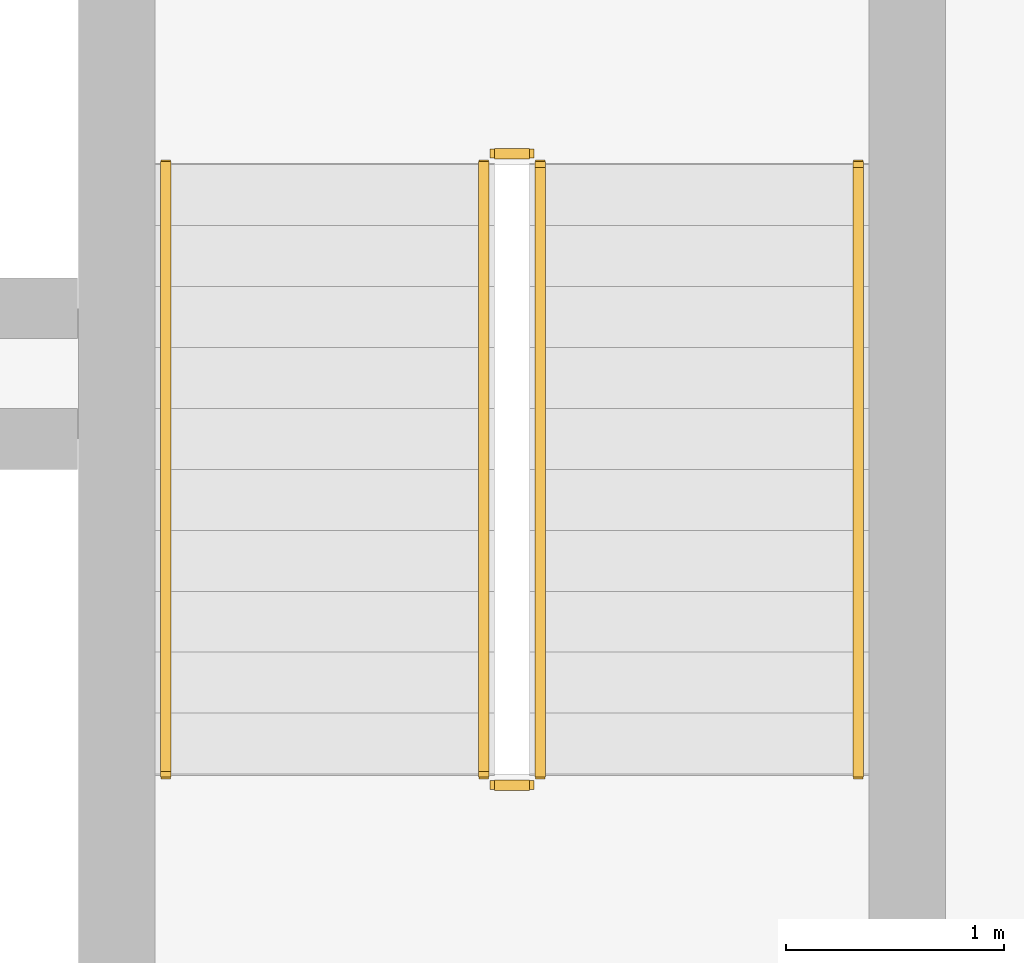
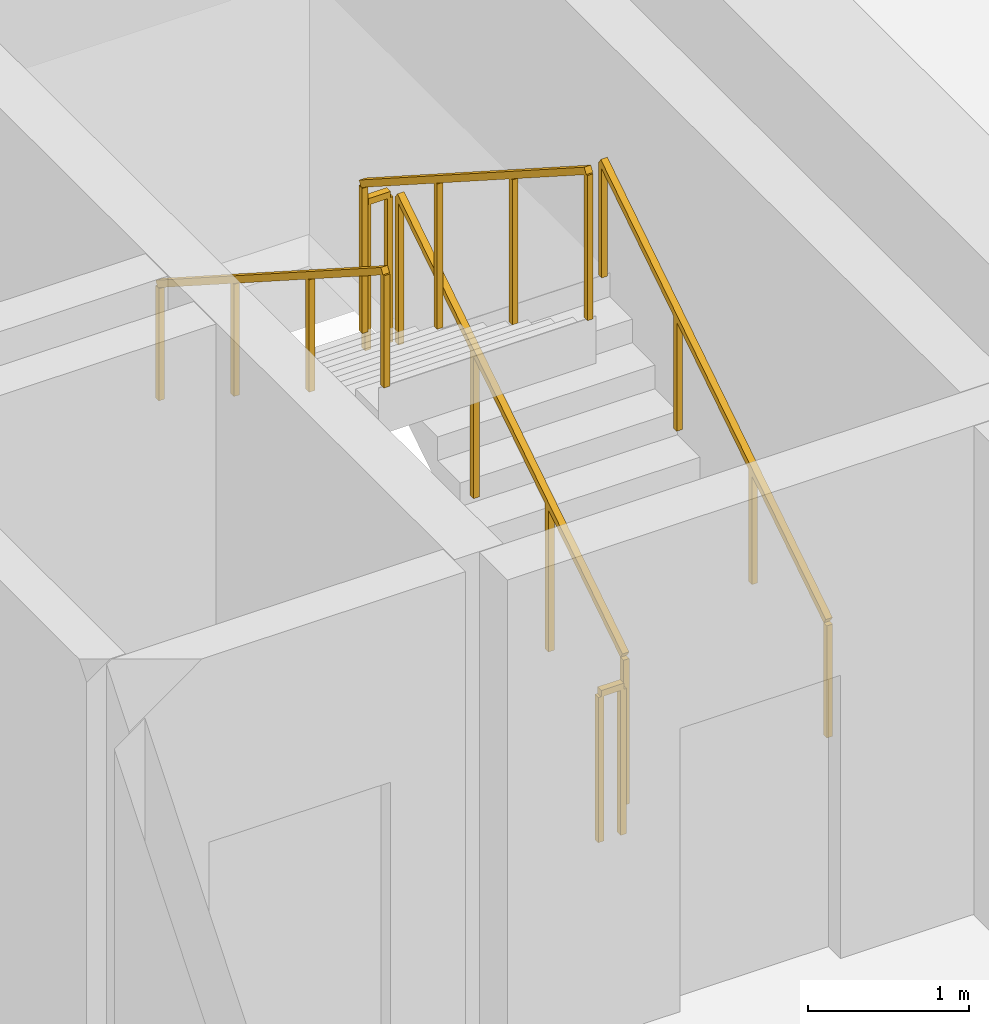
# One storey, part 10 of 10: 6 railings.
"""IFC4 building model written with IfcOpenShell, lengths in metres."""

from ifc_helpers import new_model, si_unit, direction, frame, origin, origin_2d, place, context, subcontext, project, spatial, rectangle, extrude, material, type_object, element, save


model = new_model("IFC4")

# Units and contexts
model_context = context("Model", 3, precision=1e-05, world=origin(), true_north=direction((0.0, 1.0)))
body_context = subcontext(model_context, "Body", "Model", "MODEL_VIEW")
ifc_project = project(units=[si_unit("LENGTHUNIT", "METRE"), si_unit("AREAUNIT", "SQUARE_METRE"), si_unit("VOLUMEUNIT", "CUBIC_METRE"), si_unit("PLANEANGLEUNIT", "RADIAN"), si_unit("MASSUNIT", "GRAM", prefix="KILO")], contexts=[model_context])

# Site, building, storey
site_placement = place(None, origin())
site = spatial("IfcSite", under=ifc_project, at=site_placement, CompositionType="ELEMENT")
building_placement = place(site_placement, origin())
building = spatial("IfcBuilding", under=site, at=building_placement, Name="Kaelvorn Grand Hotel", CompositionType="ELEMENT")
storey_placement = place(building_placement, frame((0.0, 0.0, 260.75)))
storey = spatial("IfcBuildingStorey", under=building, at=storey_placement, Name="L64", CompositionType="ELEMENT", Elevation=260.75)

# Railings
ifc_material = material(Name="Stainless Steel", Category="steel")
railing_type_1 = type_object("IfcRailingType", Name="RL-HANDRAIL-900", PredefinedType="HANDRAIL", material=ifc_material)
railing_1_placement = place(storey_placement, frame((66.550048828125, 41.760009765625, 0.179443359375)))
element("IfcRailing", 1, at=railing_1_placement, inside=storey, type_object=railing_type_1, Name="L64 ST3 stair handrail 1", PredefinedType="HANDRAIL", context=body_context, shape_type="SweptSolid", body=[
    extrude(rectangle(XDim=0.048095703125, YDim=0.048095703125, at=origin_2d()), frame((0.0, 0.0, 0.8759765625), z_axis=(0.0, 0.841776520102, 0.539826166654), x_axis=(-1.0, 0.0, 0.0)), (0.0, 0.0, 1.0), 3.326416015625),
    extrude(rectangle(XDim=0.0419921875, YDim=0.0419921875, at=origin_2d()), origin(), (0.0, 0.0, 1.0), 0.851806640625),
    extrude(rectangle(XDim=0.0419921875, YDim=0.0419921875, at=origin_2d()), frame((0.0, 0.933349609375, 0.5986328125)), (0.0, 0.0, 1.0), 0.851806640625),
    extrude(rectangle(XDim=0.0419921875, YDim=0.0419921875, at=origin_2d()), frame((0.0, 1.86669921875, 1.197021484375)), (0.0, 0.0, 1.0), 0.851806640625),
    extrude(rectangle(XDim=0.0419921875, YDim=0.0419921875, at=origin_2d()), frame((0.0, 2.800048828125, 1.795654296875)), (0.0, 0.0, 1.0), 0.851806640625),
])
railing_2_placement = place(storey_placement, frame((63.3701171875, 44.56005859375, 2.154541015625)))
element("IfcRailing", 2, at=railing_2_placement, inside=storey, type_object=railing_type_1, Name="L64 ST3 stair handrail 2", PredefinedType="HANDRAIL", context=body_context, shape_type="SweptSolid", body=[
    extrude(rectangle(XDim=0.048095703125, YDim=0.048095703125, at=origin_2d()), frame((0.0, 0.0, 0.8759765625), z_axis=(0.0, -0.841809871826, 0.539774156196), x_axis=(1.0, 0.0, 0.0)), (0.0, 0.0, 1.0), 3.326171875),
    extrude(rectangle(XDim=0.0419921875, YDim=0.0419921875, at=origin_2d()), origin(), (0.0, 0.0, 1.0), 0.851806640625),
    extrude(rectangle(XDim=0.0419921875, YDim=0.0419921875, at=origin_2d()), frame((0.0, -0.933349609375, 0.598388671875)), (0.0, 0.0, 1.0), 0.851806640625),
    extrude(rectangle(XDim=0.0419921875, YDim=0.0419921875, at=origin_2d()), frame((0.0, -1.86669921875, 1.197021484375)), (0.0, 0.0, 1.0), 0.851806640625),
    extrude(rectangle(XDim=0.0419921875, YDim=0.0419921875, at=origin_2d()), frame((0.0, -2.800048828125, 1.79541015625)), (0.0, 0.0, 1.0), 0.851806640625),
])
railing_type_2 = type_object("IfcRailingType", Name="RL-STAIR-GUARD-1150", PredefinedType="BALUSTRADE", material=ifc_material)
railing_3_placement = place(storey_placement, frame((65.090087890625, 41.760009765625, 0.179443359375)))
element("IfcRailing", 3, at=railing_3_placement, inside=storey, type_object=railing_type_2, Name="L64 ST3 stair guard 1", PredefinedType="BALUSTRADE", context=body_context, shape_type="SweptSolid", body=[
    extrude(rectangle(XDim=0.048095703125, YDim=0.048095703125, at=origin_2d()), frame((0.0, 0.0, 1.1259765625), z_axis=(0.0, 0.841776520102, 0.539826166654), x_axis=(-1.0, 0.0, 0.0)), (0.0, 0.0, 1.0), 3.326416015625),
    extrude(rectangle(XDim=0.0419921875, YDim=0.0419921875, at=origin_2d()), origin(), (0.0, 0.0, 1.0), 1.101806640625),
    extrude(rectangle(XDim=0.0419921875, YDim=0.0419921875, at=origin_2d()), frame((0.0, 0.933349609375, 0.5986328125)), (0.0, 0.0, 1.0), 1.101806640625),
    extrude(rectangle(XDim=0.0419921875, YDim=0.0419921875, at=origin_2d()), frame((0.0, 1.86669921875, 1.197021484375)), (0.0, 0.0, 1.0), 1.101806640625),
    extrude(rectangle(XDim=0.0419921875, YDim=0.0419921875, at=origin_2d()), frame((0.0, 2.800048828125, 1.795654296875)), (0.0, 0.0, 1.0), 1.101806640625),
])
railing_4_placement = place(storey_placement, frame((65.0400390625, 44.610107421875, 1.97509765625)))
element("IfcRailing", 4, at=railing_4_placement, inside=storey, type_object=railing_type_2, Name="L64 ST3 stair guard 2", PredefinedType="BALUSTRADE", context=body_context, shape_type="SweptSolid", body=[
    extrude(rectangle(XDim=0.048095703125, YDim=0.048095703125, at=origin_2d()), frame((0.0, 0.0, 1.1259765625), z_axis=(-1.0, 0.0, 0.0), x_axis=(0.0, -1.0, 0.0)), (0.0, 0.0, 1.0), 0.16015625),
    extrude(rectangle(XDim=0.0419921875, YDim=0.0419921875, at=origin_2d()), origin(), (0.0, 0.0, 1.0), 1.101806640625),
    extrude(rectangle(XDim=0.0419921875, YDim=0.0419921875, at=origin_2d()), frame((-0.16015625, 0.0, 0.0)), (0.0, 0.0, 1.0), 1.101806640625),
])
railing_5_placement = place(storey_placement, frame((64.830078125, 44.56005859375, 2.154541015625)))
element("IfcRailing", 5, at=railing_5_placement, inside=storey, type_object=railing_type_2, Name="L64 ST3 stair guard 3", PredefinedType="BALUSTRADE", context=body_context, shape_type="SweptSolid", body=[
    extrude(rectangle(XDim=0.048095703125, YDim=0.048095703125, at=origin_2d()), frame((0.0, 0.0, 1.1259765625), z_axis=(0.0, -0.841809871826, 0.539774156196), x_axis=(1.0, 0.0, 0.0)), (0.0, 0.0, 1.0), 3.326171875),
    extrude(rectangle(XDim=0.0419921875, YDim=0.0419921875, at=origin_2d()), origin(), (0.0, 0.0, 1.0), 1.101806640625),
    extrude(rectangle(XDim=0.0419921875, YDim=0.0419921875, at=origin_2d()), frame((0.0, -0.933349609375, 0.598388671875)), (0.0, 0.0, 1.0), 1.101806640625),
    extrude(rectangle(XDim=0.0419921875, YDim=0.0419921875, at=origin_2d()), frame((0.0, -1.86669921875, 1.197021484375)), (0.0, 0.0, 1.0), 1.101806640625),
    extrude(rectangle(XDim=0.0419921875, YDim=0.0419921875, at=origin_2d()), frame((0.0, -2.800048828125, 1.79541015625)), (0.0, 0.0, 1.0), 1.101806640625),
])
railing_6_placement = place(storey_placement, frame((65.0400390625, 41.7099609375, 0.0)))
element("IfcRailing", 6, at=railing_6_placement, inside=storey, type_object=railing_type_2, Name="L64 ST3 stair guard 4", PredefinedType="BALUSTRADE", context=body_context, shape_type="SweptSolid", body=[
    extrude(rectangle(XDim=0.048095703125, YDim=0.048095703125, at=origin_2d()), frame((0.0, 0.0, 1.1259765625), z_axis=(-1.0, 0.0, 0.0), x_axis=(0.0, -1.0, 0.0)), (0.0, 0.0, 1.0), 0.16015625),
    extrude(rectangle(XDim=0.0419921875, YDim=0.0419921875, at=origin_2d()), origin(), (0.0, 0.0, 1.0), 1.101806640625),
    extrude(rectangle(XDim=0.0419921875, YDim=0.0419921875, at=origin_2d()), frame((-0.16015625, 0.0, 0.0)), (0.0, 0.0, 1.0), 1.101806640625),
])

save(model, "model.ifc")
